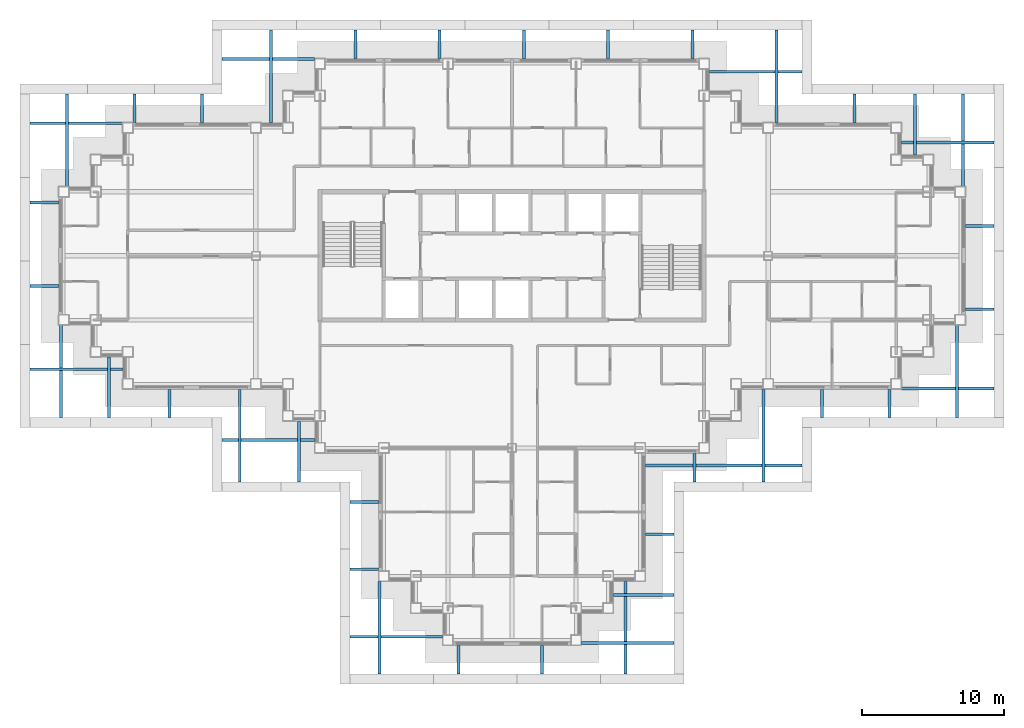
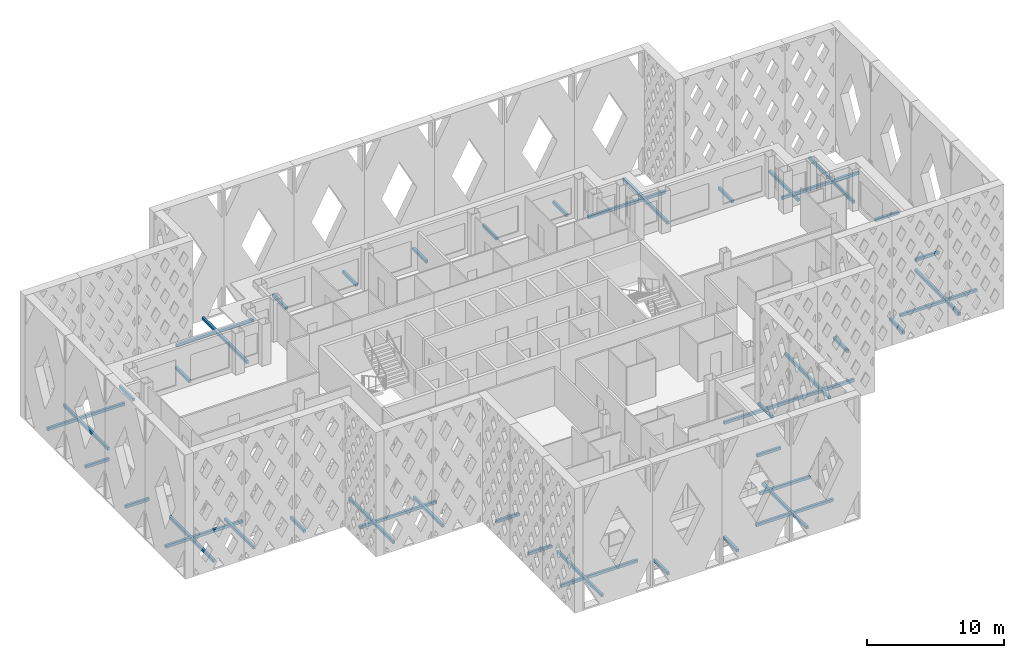
# One storey, part 10 of 18: 45 discrete accessories.
"""IFC4 building model written with IfcOpenShell, lengths in metres."""

from ifc_helpers import new_model, si_unit, direction, frame, origin, origin_2d, place, context, subcontext, project, spatial, rectangle, extrude, material, type_object, element, save


model = new_model("IFC4")

# Units and contexts
model_context = context("Model", 3, precision=1e-05, world=origin(), true_north=direction((0.0, 1.0)))
body_context = subcontext(model_context, "Body", "Model", "MODEL_VIEW")
ifc_project = project(units=[si_unit("LENGTHUNIT", "METRE"), si_unit("AREAUNIT", "SQUARE_METRE"), si_unit("VOLUMEUNIT", "CUBIC_METRE"), si_unit("PLANEANGLEUNIT", "RADIAN"), si_unit("MASSUNIT", "GRAM", prefix="KILO")], contexts=[model_context])

# Site, building, storey
site_placement = place(None, origin())
site = spatial("IfcSite", under=ifc_project, at=site_placement, CompositionType="ELEMENT")
building_placement = place(site_placement, origin())
building = spatial("IfcBuilding", under=site, at=building_placement, Name="Caravel Reach Hotel and Residences", CompositionType="ELEMENT")
storey_placement = place(building_placement, frame((0.0, 0.0, 176.5)))
storey = spatial("IfcBuildingStorey", under=building, at=storey_placement, Name="L44", CompositionType="ELEMENT", Elevation=176.5)

# Discrete accessories
ifc_material = material(Name="Black powder-coated aluminium", Category="aluminium")
discrete_accessory_type = type_object("IfcDiscreteAccessoryType", Name="BR1 Screen bracket", PredefinedType="BRACKET", material=ifc_material)
for number, where, z_axis, x_axis, name in (
    (1, (21.125, 9.705078125, 0.10009765625), (0.0, 0.0, 1.0), (-1.0, 0.0, 0.0), "Screen bracket L44 1.1.1"),
    (2, (21.125, 4.9716796875, 0.10009765625), (0.0, 0.0, 1.0), (-1.0, 0.0, 0.0), "Screen bracket L44 1.2.1"),
):
    element("IfcDiscreteAccessory", number, at=place(storey_placement, frame(where, z_axis=z_axis, x_axis=x_axis)), inside=storey, type_object=discrete_accessory_type, Name=name, PredefinedType="BRACKET", context=body_context, shape_type="SweptSolid", body=[
        extrude(rectangle(XDim=2.0, YDim=0.199951171875, at=origin_2d()), origin(), (0.0, 0.0, 1.0), 0.25),
    ])
for number, where, z_axis, x_axis, name in (
    (3, (23.375, 0.23828125, 0.10009765625), (0.0, 0.0, 1.0), (-1.0, 0.0, 0.0), "Screen bracket L44 1.3.1"),
    (4, (22.183837890625, 0.875, 0.10009765625), (0.0, 0.0, 1.0), (0.0, -1.0, 0.0), "Screen bracket L44 2.1.1"),
):
    element("IfcDiscreteAccessory", number, at=place(storey_placement, frame(where, z_axis=z_axis, x_axis=x_axis)), inside=storey, type_object=discrete_accessory_type, Name=name, PredefinedType="BRACKET", context=body_context, shape_type="SweptSolid", body=[
        extrude(rectangle(XDim=6.5, YDim=0.199951171875, at=origin_2d()), origin(), (0.0, 0.0, 1.0), 0.25),
    ])
for number, where, z_axis, x_axis, name in (
    (5, (27.746337890625, -1.375, 0.10009765625), (0.0, 0.0, 1.0), (0.0, -1.0, 0.0), "Screen bracket L44 2.2.1"),
    (6, (33.608642578125, -1.375, 0.10009765625), (0.0, 0.0, 1.0), (0.0, -1.0, 0.0), "Screen bracket L44 2.3.1"),
):
    element("IfcDiscreteAccessory", number, at=place(storey_placement, frame(where, z_axis=z_axis, x_axis=x_axis)), inside=storey, type_object=discrete_accessory_type, Name=name, PredefinedType="BRACKET", context=body_context, shape_type="SweptSolid", body=[
        extrude(rectangle(XDim=2.0, YDim=0.199951171875, at=origin_2d()), origin(), (0.0, 0.0, 1.0), 0.25),
    ])
for number, where, z_axis, x_axis, name in (
    (7, (39.47119140625, 0.875, 0.10009765625), (0.0, 0.0, 1.0), (0.0, -1.0, 0.0), "Screen bracket L44 2.4.1"),
    (8, (39.625, -0.195068359375, 0.10009765625), (0.0, 0.0, 1.0), (1.0, 0.0, 0.0), "Screen bracket L44 3.1.1"),
):
    element("IfcDiscreteAccessory", number, at=place(storey_placement, frame(where, z_axis=z_axis, x_axis=x_axis)), inside=storey, type_object=discrete_accessory_type, Name=name, PredefinedType="BRACKET", context=body_context, shape_type="SweptSolid", body=[
        extrude(rectangle(XDim=6.5, YDim=0.199951171875, at=origin_2d()), origin(), (0.0, 0.0, 1.0), 0.25),
    ])
discrete_accessory_1_placement = place(storey_placement, frame((40.75, 3.171630859375, 0.10009765625), z_axis=(0.0, 0.0, 1.0), x_axis=(1.0, 0.0, 0.0)))
element("IfcDiscreteAccessory", 9, at=discrete_accessory_1_placement, inside=storey, type_object=discrete_accessory_type, Name="Screen bracket L44 3.2.1", PredefinedType="BRACKET", context=body_context, shape_type="SweptSolid", body=[
    extrude(rectangle(XDim=4.25, YDim=0.199951171875, at=origin_2d()), origin(), (0.0, 0.0, 1.0), 0.25),
])
for number, where, z_axis, x_axis, name in (
    (10, (41.875, 7.438232421875, 0.10009765625), (0.0, 0.0, 1.0), (1.0, 0.0, 0.0), "Screen bracket L44 3.3.1"),
    (11, (44.330078125, 12.125, 0.10009765625), (0.0, 0.0, 1.0), (0.0, -1.0, 0.0), "Screen bracket L44 4.1.1"),
):
    element("IfcDiscreteAccessory", number, at=place(storey_placement, frame(where, z_axis=z_axis, x_axis=x_axis)), inside=storey, type_object=discrete_accessory_type, Name=name, PredefinedType="BRACKET", context=body_context, shape_type="SweptSolid", body=[
        extrude(rectangle(XDim=2.0, YDim=0.199951171875, at=origin_2d()), origin(), (0.0, 0.0, 1.0), 0.25),
    ])
discrete_accessory_2_placement = place(storey_placement, frame((49.179931640625, 14.375, 0.10009765625), z_axis=(0.0, 0.0, 1.0), x_axis=(0.0, -1.0, 0.0)))
element("IfcDiscreteAccessory", 12, at=discrete_accessory_2_placement, inside=storey, type_object=discrete_accessory_type, Name="Screen bracket L44 4.2.1", PredefinedType="BRACKET", context=body_context, shape_type="SweptSolid", body=[
    extrude(rectangle(XDim=6.5, YDim=0.199951171875, at=origin_2d()), origin(), (0.0, 0.0, 1.0), 0.25),
])
discrete_accessory_3_placement = place(storey_placement, frame((46.375, 12.264892578125, 0.10009765625), z_axis=(0.0, 0.0, 1.0), x_axis=(1.0, 0.0, 0.0)))
element("IfcDiscreteAccessory", 13, at=discrete_accessory_3_placement, inside=storey, type_object=discrete_accessory_type, Name="Screen bracket L44 5.1.1", PredefinedType="BRACKET", context=body_context, shape_type="SweptSolid", body=[
    extrude(rectangle(XDim=11.0, YDim=0.199951171875, at=origin_2d()), origin(), (0.0, 0.0, 1.0), 0.25),
])
for number, where, z_axis, x_axis, name in (
    (14, (53.294921875, 16.625, 0.10009765625), (0.0, 0.0, 1.0), (0.0, -1.0, 0.0), "Screen bracket L44 6.1.1"),
    (15, (58.0283203125, 16.625, 0.10009765625), (0.0, 0.0, 1.0), (0.0, -1.0, 0.0), "Screen bracket L44 6.2.1"),
):
    element("IfcDiscreteAccessory", number, at=place(storey_placement, frame(where, z_axis=z_axis, x_axis=x_axis)), inside=storey, type_object=discrete_accessory_type, Name=name, PredefinedType="BRACKET", context=body_context, shape_type="SweptSolid", body=[
        extrude(rectangle(XDim=2.0, YDim=0.199951171875, at=origin_2d()), origin(), (0.0, 0.0, 1.0), 0.25),
    ])
for number, where, z_axis, x_axis, name in (
    (16, (62.76171875, 18.875, 0.10009765625), (0.0, 0.0, 1.0), (0.0, -1.0, 0.0), "Screen bracket L44 6.3.1"),
    (17, (62.125, 17.683837890625, 0.10009765625), (0.0, 0.0, 1.0), (1.0, 0.0, 0.0), "Screen bracket L44 7.1.1"),
):
    element("IfcDiscreteAccessory", number, at=place(storey_placement, frame(where, z_axis=z_axis, x_axis=x_axis)), inside=storey, type_object=discrete_accessory_type, Name=name, PredefinedType="BRACKET", context=body_context, shape_type="SweptSolid", body=[
        extrude(rectangle(XDim=6.5, YDim=0.199951171875, at=origin_2d()), origin(), (0.0, 0.0, 1.0), 0.25),
    ])
for number, where, z_axis, x_axis, name in (
    (18, (64.375, 23.246337890625, 0.10009765625), (0.0, 0.0, 1.0), (1.0, 0.0, 0.0), "Screen bracket L44 7.2.1"),
    (19, (64.375, 29.108642578125, 0.10009765625), (0.0, 0.0, 1.0), (1.0, 0.0, 0.0), "Screen bracket L44 7.3.1"),
):
    element("IfcDiscreteAccessory", number, at=place(storey_placement, frame(where, z_axis=z_axis, x_axis=x_axis)), inside=storey, type_object=discrete_accessory_type, Name=name, PredefinedType="BRACKET", context=body_context, shape_type="SweptSolid", body=[
        extrude(rectangle(XDim=2.0, YDim=0.199951171875, at=origin_2d()), origin(), (0.0, 0.0, 1.0), 0.25),
    ])
for number, where, z_axis, x_axis, name in (
    (20, (62.125, 34.97119140625, 0.10009765625), (0.0, 0.0, 1.0), (1.0, 0.0, 0.0), "Screen bracket L44 7.4.1"),
    (21, (63.195068359375, 35.125, 0.10009765625), (0.0, 0.0, 1.0), (0.0, 1.0, 0.0), "Screen bracket L44 8.1.1"),
):
    element("IfcDiscreteAccessory", number, at=place(storey_placement, frame(where, z_axis=z_axis, x_axis=x_axis)), inside=storey, type_object=discrete_accessory_type, Name=name, PredefinedType="BRACKET", context=body_context, shape_type="SweptSolid", body=[
        extrude(rectangle(XDim=6.5, YDim=0.199951171875, at=origin_2d()), origin(), (0.0, 0.0, 1.0), 0.25),
    ])
discrete_accessory_4_placement = place(storey_placement, frame((59.828369140625, 36.25, 0.10009765625), z_axis=(0.0, 0.0, 1.0), x_axis=(0.0, 1.0, 0.0)))
element("IfcDiscreteAccessory", 22, at=discrete_accessory_4_placement, inside=storey, type_object=discrete_accessory_type, Name="Screen bracket L44 8.2.1", PredefinedType="BRACKET", context=body_context, shape_type="SweptSolid", body=[
    extrude(rectangle(XDim=4.25, YDim=0.199951171875, at=origin_2d()), origin(), (0.0, 0.0, 1.0), 0.25),
])
discrete_accessory_5_placement = place(storey_placement, frame((55.561767578125, 37.375, 0.10009765625), z_axis=(0.0, 0.0, 1.0), x_axis=(0.0, 1.0, 0.0)))
element("IfcDiscreteAccessory", 23, at=discrete_accessory_5_placement, inside=storey, type_object=discrete_accessory_type, Name="Screen bracket L44 8.3.1", PredefinedType="BRACKET", context=body_context, shape_type="SweptSolid", body=[
    extrude(rectangle(XDim=2.0, YDim=0.199951171875, at=origin_2d()), origin(), (0.0, 0.0, 1.0), 0.25),
])
for number, where, z_axis, x_axis, name in (
    (24, (48.625, 39.93505859375, 0.10009765625), (0.0, 0.0, 1.0), (1.0, 0.0, 0.0), "Screen bracket L44 9.1.1"),
    (25, (50.0986328125, 39.625, 0.10009765625), (0.0, 0.0, 1.0), (0.0, 1.0, 0.0), "Screen bracket L44 10.1.1"),
):
    element("IfcDiscreteAccessory", number, at=place(storey_placement, frame(where, z_axis=z_axis, x_axis=x_axis)), inside=storey, type_object=discrete_accessory_type, Name=name, PredefinedType="BRACKET", context=body_context, shape_type="SweptSolid", body=[
        extrude(rectangle(XDim=6.5, YDim=0.199951171875, at=origin_2d()), origin(), (0.0, 0.0, 1.0), 0.25),
    ])
for number, where, z_axis, x_axis, name in (
    (26, (44.17724609375, 41.875, 0.10009765625), (0.0, 0.0, 1.0), (0.0, 1.0, 0.0), "Screen bracket L44 10.2.1"),
    (27, (38.255615234375, 41.875, 0.10009765625), (0.0, 0.0, 1.0), (0.0, 1.0, 0.0), "Screen bracket L44 10.3.1"),
    (28, (32.334228515625, 41.875, 0.10009765625), (0.0, 0.0, 1.0), (0.0, 1.0, 0.0), "Screen bracket L44 10.4.1"),
    (29, (26.412841796875, 41.875, 0.10009765625), (0.0, 0.0, 1.0), (0.0, 1.0, 0.0), "Screen bracket L44 10.5.1"),
    (30, (20.491455078125, 41.875, 0.10009765625), (0.0, 0.0, 1.0), (0.0, 1.0, 0.0), "Screen bracket L44 10.6.1"),
):
    element("IfcDiscreteAccessory", number, at=place(storey_placement, frame(where, z_axis=z_axis, x_axis=x_axis)), inside=storey, type_object=discrete_accessory_type, Name=name, PredefinedType="BRACKET", context=body_context, shape_type="SweptSolid", body=[
        extrude(rectangle(XDim=2.0, YDim=0.199951171875, at=origin_2d()), origin(), (0.0, 0.0, 1.0), 0.25),
    ])
for number, where, z_axis, x_axis, name in (
    (31, (14.570068359375, 39.625, 0.10009765625), (0.0, 0.0, 1.0), (0.0, 1.0, 0.0), "Screen bracket L44 10.7.1"),
    (32, (14.375, 40.8349609375, 0.10009765625), (0.0, 0.0, 1.0), (-1.0, 0.0, 0.0), "Screen bracket L44 11.1.1"),
):
    element("IfcDiscreteAccessory", number, at=place(storey_placement, frame(where, z_axis=z_axis, x_axis=x_axis)), inside=storey, type_object=discrete_accessory_type, Name=name, PredefinedType="BRACKET", context=body_context, shape_type="SweptSolid", body=[
        extrude(rectangle(XDim=6.5, YDim=0.199951171875, at=origin_2d()), origin(), (0.0, 0.0, 1.0), 0.25),
    ])
for number, where, z_axis, x_axis, name in (
    (33, (9.705078125, 37.375, 0.10009765625), (0.0, 0.0, 1.0), (0.0, 1.0, 0.0), "Screen bracket L44 12.1.1"),
    (34, (4.9716796875, 37.375, 0.10009765625), (0.0, 0.0, 1.0), (0.0, 1.0, 0.0), "Screen bracket L44 12.2.1"),
):
    element("IfcDiscreteAccessory", number, at=place(storey_placement, frame(where, z_axis=z_axis, x_axis=x_axis)), inside=storey, type_object=discrete_accessory_type, Name=name, PredefinedType="BRACKET", context=body_context, shape_type="SweptSolid", body=[
        extrude(rectangle(XDim=2.0, YDim=0.199951171875, at=origin_2d()), origin(), (0.0, 0.0, 1.0), 0.25),
    ])
for number, where, z_axis, x_axis, name in (
    (35, (0.23828125, 35.125, 0.10009765625), (0.0, 0.0, 1.0), (0.0, 1.0, 0.0), "Screen bracket L44 12.3.1"),
    (36, (0.875, 36.316162109375, 0.10009765625), (0.0, 0.0, 1.0), (-1.0, 0.0, 0.0), "Screen bracket L44 13.1.1"),
):
    element("IfcDiscreteAccessory", number, at=place(storey_placement, frame(where, z_axis=z_axis, x_axis=x_axis)), inside=storey, type_object=discrete_accessory_type, Name=name, PredefinedType="BRACKET", context=body_context, shape_type="SweptSolid", body=[
        extrude(rectangle(XDim=6.5, YDim=0.199951171875, at=origin_2d()), origin(), (0.0, 0.0, 1.0), 0.25),
    ])
for number, where, z_axis, x_axis, name in (
    (37, (-1.375, 30.753662109375, 0.10009765625), (0.0, 0.0, 1.0), (-1.0, 0.0, 0.0), "Screen bracket L44 13.2.1"),
    (38, (-1.375, 24.891357421875, 0.10009765625), (0.0, 0.0, 1.0), (-1.0, 0.0, 0.0), "Screen bracket L44 13.3.1"),
):
    element("IfcDiscreteAccessory", number, at=place(storey_placement, frame(where, z_axis=z_axis, x_axis=x_axis)), inside=storey, type_object=discrete_accessory_type, Name=name, PredefinedType="BRACKET", context=body_context, shape_type="SweptSolid", body=[
        extrude(rectangle(XDim=2.0, YDim=0.199951171875, at=origin_2d()), origin(), (0.0, 0.0, 1.0), 0.25),
    ])
for number, where, z_axis, x_axis, name in (
    (39, (0.875, 19.02880859375, 0.10009765625), (0.0, 0.0, 1.0), (-1.0, 0.0, 0.0), "Screen bracket L44 13.4.1"),
    (40, (-0.195068359375, 18.875, 0.10009765625), (0.0, 0.0, 1.0), (0.0, -1.0, 0.0), "Screen bracket L44 14.1.1"),
):
    element("IfcDiscreteAccessory", number, at=place(storey_placement, frame(where, z_axis=z_axis, x_axis=x_axis)), inside=storey, type_object=discrete_accessory_type, Name=name, PredefinedType="BRACKET", context=body_context, shape_type="SweptSolid", body=[
        extrude(rectangle(XDim=6.5, YDim=0.199951171875, at=origin_2d()), origin(), (0.0, 0.0, 1.0), 0.25),
    ])
discrete_accessory_6_placement = place(storey_placement, frame((3.171630859375, 17.75, 0.10009765625), z_axis=(0.0, 0.0, 1.0), x_axis=(0.0, -1.0, 0.0)))
element("IfcDiscreteAccessory", 41, at=discrete_accessory_6_placement, inside=storey, type_object=discrete_accessory_type, Name="Screen bracket L44 14.2.1", PredefinedType="BRACKET", context=body_context, shape_type="SweptSolid", body=[
    extrude(rectangle(XDim=4.25, YDim=0.199951171875, at=origin_2d()), origin(), (0.0, 0.0, 1.0), 0.25),
])
discrete_accessory_7_placement = place(storey_placement, frame((7.438232421875, 16.625, 0.10009765625), z_axis=(0.0, 0.0, 1.0), x_axis=(0.0, -1.0, 0.0)))
element("IfcDiscreteAccessory", 42, at=discrete_accessory_7_placement, inside=storey, type_object=discrete_accessory_type, Name="Screen bracket L44 14.3.1", PredefinedType="BRACKET", context=body_context, shape_type="SweptSolid", body=[
    extrude(rectangle(XDim=2.0, YDim=0.199951171875, at=origin_2d()), origin(), (0.0, 0.0, 1.0), 0.25),
])
for number, where, z_axis, x_axis, name in (
    (43, (14.375, 14.06494140625, 0.10009765625), (0.0, 0.0, 1.0), (-1.0, 0.0, 0.0), "Screen bracket L44 15.1.1"),
    (44, (12.3701171875, 14.375, 0.10009765625), (0.0, 0.0, 1.0), (0.0, -1.0, 0.0), "Screen bracket L44 16.1.1"),
):
    element("IfcDiscreteAccessory", number, at=place(storey_placement, frame(where, z_axis=z_axis, x_axis=x_axis)), inside=storey, type_object=discrete_accessory_type, Name=name, PredefinedType="BRACKET", context=body_context, shape_type="SweptSolid", body=[
        extrude(rectangle(XDim=6.5, YDim=0.199951171875, at=origin_2d()), origin(), (0.0, 0.0, 1.0), 0.25),
    ])
discrete_accessory_8_placement = place(storey_placement, frame((16.52001953125, 13.25, 0.10009765625), z_axis=(0.0, 0.0, 1.0), x_axis=(0.0, -1.0, 0.0)))
element("IfcDiscreteAccessory", 45, at=discrete_accessory_8_placement, inside=storey, type_object=discrete_accessory_type, Name="Screen bracket L44 16.2.1", PredefinedType="BRACKET", context=body_context, shape_type="SweptSolid", body=[
    extrude(rectangle(XDim=4.25, YDim=0.199951171875, at=origin_2d()), origin(), (0.0, 0.0, 1.0), 0.25),
])

save(model, "model.ifc")
